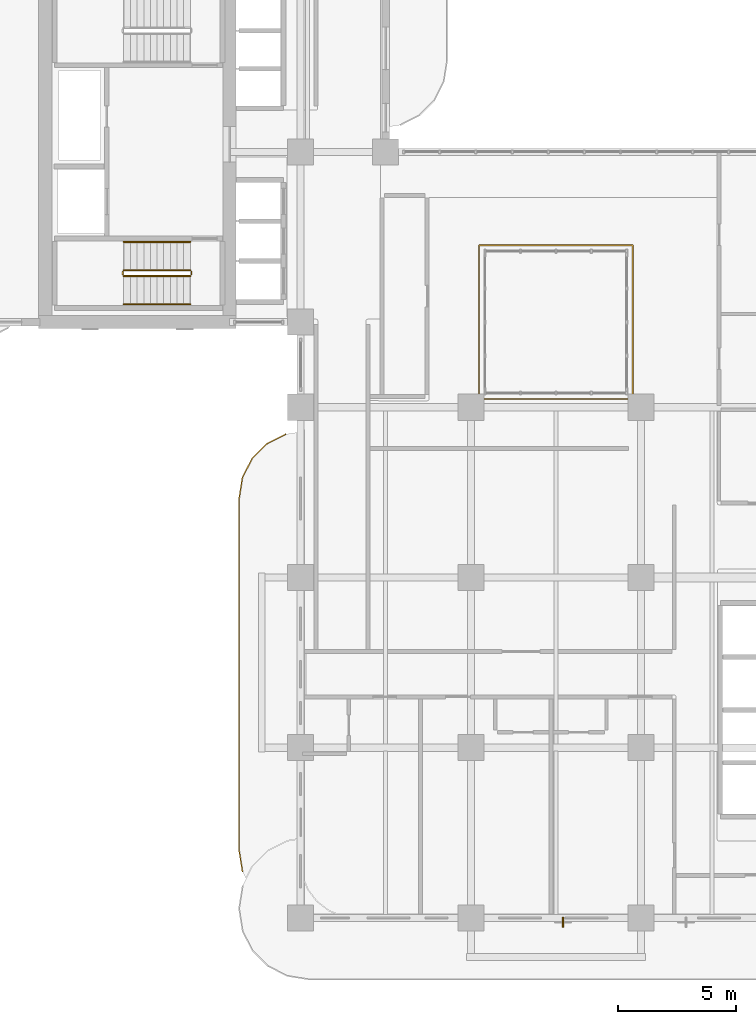
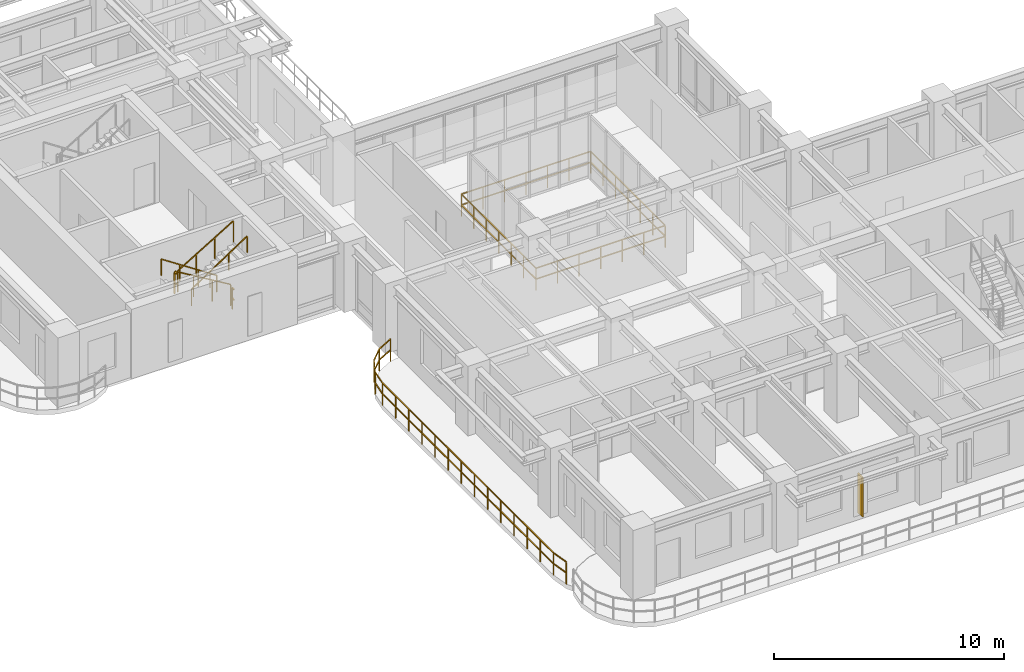
# One storey, part 18 of 22: 8 railings, 1 shading device.
"""IFC4 building model written with IfcOpenShell, lengths in metres."""

from ifc_helpers import new_model, si_unit, derived_unit, direction, frame, origin, origin_2d, place, context, subcontext, project, spatial, rectangle, extrude, source, transform, mapped, material, layer, layer_set, type_object, type_shapes, element, save


model = new_model("IFC4")

# Units and contexts
model_context = context("Model", 3, precision=1e-05, world=origin(), true_north=direction((0.0, 1.0)))
body_context = subcontext(model_context, "Body", "Model", "MODEL_VIEW")
ifc_project = project(units=[si_unit("LENGTHUNIT", "METRE"), si_unit("AREAUNIT", "SQUARE_METRE"), si_unit("VOLUMEUNIT", "CUBIC_METRE"), si_unit("PLANEANGLEUNIT", "RADIAN"), si_unit("MASSUNIT", "GRAM", prefix="KILO"), si_unit("THERMODYNAMICTEMPERATUREUNIT", "KELVIN"), si_unit("POWERUNIT", "WATT"), derived_unit("THERMALTRANSMITTANCEUNIT", [(si_unit("POWERUNIT", "WATT"), 1), (si_unit("AREAUNIT", "SQUARE_METRE"), -1), (si_unit("THERMODYNAMICTEMPERATUREUNIT", "KELVIN"), -1)])], contexts=[model_context])

# Site, building, storey
site_placement = place(None, origin())
site = spatial("IfcSite", under=ifc_project, at=site_placement, CompositionType="ELEMENT")
building_placement = place(site_placement, origin())
building = spatial("IfcBuilding", under=site, at=building_placement, Name="Zahravan Archway Hotel and Residences", CompositionType="ELEMENT")
storey_placement = place(building_placement, frame((0.0, 0.0, 76.800048828125)))
storey = spatial("IfcBuildingStorey", under=building, at=storey_placement, Name="L18", CompositionType="ELEMENT", Elevation=76.800048828125)

# Railings
ifc_material_1 = material(Name="Atrium Laminated Glass Guardrail", Category="glass")
railing_type_1 = type_object("IfcRailingType", Name="RL-ATR-1200", PredefinedType="BALUSTRADE", material=ifc_material_1)
railing_1_placement = place(storey_placement, frame((21.949951171875, 21.949951171875, 0.0)))
element("IfcRailing", 1, at=railing_1_placement, inside=storey, type_object=railing_type_1, Name="L18 Balustrade RL-ATR-L18", PredefinedType="BALUSTRADE", context=body_context, shape_type="SweptSolid", body=[
    extrude(rectangle(XDim=0.048095703125, YDim=0.048095703125, at=origin_2d()), frame((0.0, 0.0, 1.17578125), z_axis=(1.0, 0.0, 0.0), x_axis=(0.0, 1.0, 0.0)), (0.0, 0.0, 1.0), 6.5),
    extrude(rectangle(XDim=0.048095703125, YDim=0.048095703125, at=origin_2d()), frame((0.0, 0.0, 0.60009765625), z_axis=(1.0, 0.0, 0.0), x_axis=(0.0, 1.0, 0.0)), (0.0, 0.0, 1.0), 6.5),
    extrude(rectangle(XDim=0.048095703125, YDim=0.048095703125, at=origin_2d()), frame((6.5, 0.0, 1.17578125), z_axis=(0.0, 1.0, 0.0), x_axis=(-1.0, 0.0, 0.0)), (0.0, 0.0, 1.0), 6.5),
    extrude(rectangle(XDim=0.048095703125, YDim=0.048095703125, at=origin_2d()), frame((6.5, 0.0, 0.60009765625), z_axis=(0.0, 1.0, 0.0), x_axis=(-1.0, 0.0, 0.0)), (0.0, 0.0, 1.0), 6.5),
    extrude(rectangle(XDim=0.048095703125, YDim=0.048095703125, at=origin_2d()), frame((6.5, 6.5, 1.17578125), z_axis=(-1.0, 0.0, 0.0), x_axis=(0.0, -1.0, 0.0)), (0.0, 0.0, 1.0), 6.5),
    extrude(rectangle(XDim=0.048095703125, YDim=0.048095703125, at=origin_2d()), frame((6.5, 6.5, 0.60009765625), z_axis=(-1.0, 0.0, 0.0), x_axis=(0.0, -1.0, 0.0)), (0.0, 0.0, 1.0), 6.5),
    extrude(rectangle(XDim=0.048095703125, YDim=0.048095703125, at=origin_2d()), frame((0.0, 6.5, 1.17578125), z_axis=(0.0, -1.0, 0.0), x_axis=(1.0, 0.0, 0.0)), (0.0, 0.0, 1.0), 6.5),
    extrude(rectangle(XDim=0.048095703125, YDim=0.048095703125, at=origin_2d()), frame((0.0, 6.5, 0.60009765625), z_axis=(0.0, -1.0, 0.0), x_axis=(1.0, 0.0, 0.0)), (0.0, 0.0, 1.0), 6.5),
    extrude(rectangle(XDim=0.0419921875, YDim=0.0419921875, at=origin_2d()), origin(), (0.0, 0.0, 1.0), 1.15185546875),
    extrude(rectangle(XDim=0.0419921875, YDim=0.0419921875, at=origin_2d()), frame((1.083251953125, 0.0, 0.0)), (0.0, 0.0, 1.0), 1.15185546875),
    extrude(rectangle(XDim=0.0419921875, YDim=0.0419921875, at=origin_2d()), frame((2.166748046875, 0.0, 0.0)), (0.0, 0.0, 1.0), 1.15185546875),
    extrude(rectangle(XDim=0.0419921875, YDim=0.0419921875, at=origin_2d()), frame((3.25, 0.0, 0.0)), (0.0, 0.0, 1.0), 1.15185546875),
    extrude(rectangle(XDim=0.0419921875, YDim=0.0419921875, at=origin_2d()), frame((4.333251953125, 0.0, 0.0)), (0.0, 0.0, 1.0), 1.15185546875),
    extrude(rectangle(XDim=0.0419921875, YDim=0.0419921875, at=origin_2d()), frame((5.416748046875, 0.0, 0.0)), (0.0, 0.0, 1.0), 1.15185546875),
    extrude(rectangle(XDim=0.0419921875, YDim=0.0419921875, at=origin_2d()), frame((6.5, 0.0, 0.0)), (0.0, 0.0, 1.0), 1.15185546875),
    extrude(rectangle(XDim=0.0419921875, YDim=0.0419921875, at=origin_2d()), frame((6.5, 1.083251953125, 0.0)), (0.0, 0.0, 1.0), 1.15185546875),
    extrude(rectangle(XDim=0.0419921875, YDim=0.0419921875, at=origin_2d()), frame((6.5, 2.166748046875, 0.0)), (0.0, 0.0, 1.0), 1.15185546875),
    extrude(rectangle(XDim=0.0419921875, YDim=0.0419921875, at=origin_2d()), frame((6.5, 3.25, 0.0)), (0.0, 0.0, 1.0), 1.15185546875),
    extrude(rectangle(XDim=0.0419921875, YDim=0.0419921875, at=origin_2d()), frame((6.5, 4.333251953125, 0.0)), (0.0, 0.0, 1.0), 1.15185546875),
    extrude(rectangle(XDim=0.0419921875, YDim=0.0419921875, at=origin_2d()), frame((6.5, 5.416748046875, 0.0)), (0.0, 0.0, 1.0), 1.15185546875),
    extrude(rectangle(XDim=0.0419921875, YDim=0.0419921875, at=origin_2d()), frame((6.5, 6.5, 0.0)), (0.0, 0.0, 1.0), 1.15185546875),
    extrude(rectangle(XDim=0.0419921875, YDim=0.0419921875, at=origin_2d()), frame((5.416748046875, 6.5, 0.0)), (0.0, 0.0, 1.0), 1.15185546875),
    extrude(rectangle(XDim=0.0419921875, YDim=0.0419921875, at=origin_2d()), frame((4.333251953125, 6.5, 0.0)), (0.0, 0.0, 1.0), 1.15185546875),
    extrude(rectangle(XDim=0.0419921875, YDim=0.0419921875, at=origin_2d()), frame((3.25, 6.5, 0.0)), (0.0, 0.0, 1.0), 1.15185546875),
    extrude(rectangle(XDim=0.0419921875, YDim=0.0419921875, at=origin_2d()), frame((2.166748046875, 6.5, 0.0)), (0.0, 0.0, 1.0), 1.15185546875),
    extrude(rectangle(XDim=0.0419921875, YDim=0.0419921875, at=origin_2d()), frame((1.083251953125, 6.5, 0.0)), (0.0, 0.0, 1.0), 1.15185546875),
    extrude(rectangle(XDim=0.0419921875, YDim=0.0419921875, at=origin_2d()), frame((0.0, 6.5, 0.0)), (0.0, 0.0, 1.0), 1.15185546875),
    extrude(rectangle(XDim=0.0419921875, YDim=0.0419921875, at=origin_2d()), frame((0.0, 5.416748046875, 0.0)), (0.0, 0.0, 1.0), 1.15185546875),
    extrude(rectangle(XDim=0.0419921875, YDim=0.0419921875, at=origin_2d()), frame((0.0, 4.333251953125, 0.0)), (0.0, 0.0, 1.0), 1.15185546875),
    extrude(rectangle(XDim=0.0419921875, YDim=0.0419921875, at=origin_2d()), frame((0.0, 3.25, 0.0)), (0.0, 0.0, 1.0), 1.15185546875),
    extrude(rectangle(XDim=0.0419921875, YDim=0.0419921875, at=origin_2d()), frame((0.0, 2.166748046875, 0.0)), (0.0, 0.0, 1.0), 1.15185546875),
    extrude(rectangle(XDim=0.0419921875, YDim=0.0419921875, at=origin_2d()), frame((0.0, 1.083251953125, 0.0)), (0.0, 0.0, 1.0), 1.15185546875),
])
ifc_material_2 = material(Name="Bronze & Laminated Glass Balustrade", Category="glass")
railing_type_2 = type_object("IfcRailingType", Name="RL-BAL-1200", PredefinedType="BALUSTRADE", material=ifc_material_2)
railing_2_placement = place(storey_placement, frame((11.939453125, 1.96923828125, 0.0)))
element("IfcRailing", 2, at=railing_2_placement, inside=storey, type_object=railing_type_2, Name="L18 Balustrade RL-SLB-BAL-L18-WA-1", PredefinedType="BALUSTRADE", context=body_context, shape_type="SweptSolid", body=[
    extrude(rectangle(XDim=0.048095703125, YDim=0.048095703125, at=origin_2d()), frame((0.0, 0.0, 1.17578125), z_axis=(-0.156314005608, 0.987707411965, 0.0), x_axis=(-0.987707411965, -0.156314005608, 0.0)), (0.0, 0.0, 1.0), 0.891845703125),
    extrude(rectangle(XDim=0.048095703125, YDim=0.048095703125, at=origin_2d()), frame((0.0, 0.0, 0.60009765625), z_axis=(-0.156314005608, 0.987707411965, 0.0), x_axis=(-0.987707411965, -0.156314005608, 0.0)), (0.0, 0.0, 1.0), 0.891845703125),
    extrude(rectangle(XDim=0.048095703125, YDim=0.048095703125, at=origin_2d()), frame((-0.139404296875, 0.880859375, 1.17578125), z_axis=(0.0, 1.0, 0.0), x_axis=(-1.0, 0.0, 0.0)), (0.0, 0.0, 1.0), 14.89990234375),
    extrude(rectangle(XDim=0.048095703125, YDim=0.048095703125, at=origin_2d()), frame((-0.139404296875, 0.880859375, 0.60009765625), z_axis=(0.0, 1.0, 0.0), x_axis=(-1.0, 0.0, 0.0)), (0.0, 0.0, 1.0), 14.89990234375),
    extrude(rectangle(XDim=0.048095703125, YDim=0.048095703125, at=origin_2d()), frame((-0.139404296875, 15.78076171875, 1.17578125), z_axis=(0.156356282588, 0.987700720307, 0.0), x_axis=(-0.987700720307, 0.156356282588, 0.0)), (0.0, 0.0, 1.0), 0.8916015625),
    extrude(rectangle(XDim=0.048095703125, YDim=0.048095703125, at=origin_2d()), frame((-0.139404296875, 15.78076171875, 0.60009765625), z_axis=(0.156356282588, 0.987700720307, 0.0), x_axis=(-0.987700720307, 0.156356282588, 0.0)), (0.0, 0.0, 1.0), 0.8916015625),
    extrude(rectangle(XDim=0.048095703125, YDim=0.048095703125, at=origin_2d()), frame((0.0, 16.661376953125, 1.17578125), z_axis=(0.45388067135, 0.891062476022, 0.0), x_axis=(-0.891062476022, 0.45388067135, 0.0)), (0.0, 0.0, 1.0), 0.891845703125),
    extrude(rectangle(XDim=0.048095703125, YDim=0.048095703125, at=origin_2d()), frame((0.0, 16.661376953125, 0.60009765625), z_axis=(0.45388067135, 0.891062476022, 0.0), x_axis=(-0.891062476022, 0.45388067135, 0.0)), (0.0, 0.0, 1.0), 0.891845703125),
    extrude(rectangle(XDim=0.048095703125, YDim=0.048095703125, at=origin_2d()), frame((0.40478515625, 17.4560546875, 1.17578125), z_axis=(0.70724367147, 0.706969864397, 0.0), x_axis=(-0.706969864397, 0.70724367147, 0.0)), (0.0, 0.0, 1.0), 0.8916015625),
    extrude(rectangle(XDim=0.048095703125, YDim=0.048095703125, at=origin_2d()), frame((0.40478515625, 17.4560546875, 0.60009765625), z_axis=(0.70724367147, 0.706969864397, 0.0), x_axis=(-0.706969864397, 0.70724367147, 0.0)), (0.0, 0.0, 1.0), 0.8916015625),
    extrude(rectangle(XDim=0.048095703125, YDim=0.048095703125, at=origin_2d()), frame((1.035400390625, 18.08642578125, 1.17578125), z_axis=(0.891006060389, 0.453991409995, 0.0), x_axis=(-0.453991409995, 0.891006060389, 0.0)), (0.0, 0.0, 1.0), 0.8916015625),
    extrude(rectangle(XDim=0.048095703125, YDim=0.048095703125, at=origin_2d()), frame((1.035400390625, 18.08642578125, 0.60009765625), z_axis=(0.891006060389, 0.453991409995, 0.0), x_axis=(-0.453991409995, 0.891006060389, 0.0)), (0.0, 0.0, 1.0), 0.8916015625),
    extrude(rectangle(XDim=0.0419921875, YDim=0.0419921875, at=origin_2d()), origin(), (0.0, 0.0, 1.0), 1.15185546875),
    extrude(rectangle(XDim=0.0419921875, YDim=0.0419921875, at=origin_2d()), frame((-0.139404296875, 0.880859375, 0.0)), (0.0, 0.0, 1.0), 1.15185546875),
    extrude(rectangle(XDim=0.0419921875, YDim=0.0419921875, at=origin_2d()), frame((-0.139404296875, 2.027099609375, 0.0)), (0.0, 0.0, 1.0), 1.15185546875),
    extrude(rectangle(XDim=0.0419921875, YDim=0.0419921875, at=origin_2d()), frame((-0.139404296875, 3.173095703125, 0.0)), (0.0, 0.0, 1.0), 1.15185546875),
    extrude(rectangle(XDim=0.0419921875, YDim=0.0419921875, at=origin_2d()), frame((-0.139404296875, 4.3193359375, 0.0)), (0.0, 0.0, 1.0), 1.15185546875),
    extrude(rectangle(XDim=0.0419921875, YDim=0.0419921875, at=origin_2d()), frame((-0.139404296875, 5.46533203125, 0.0)), (0.0, 0.0, 1.0), 1.15185546875),
    extrude(rectangle(XDim=0.0419921875, YDim=0.0419921875, at=origin_2d()), frame((-0.139404296875, 6.611572265625, 0.0)), (0.0, 0.0, 1.0), 1.15185546875),
    extrude(rectangle(XDim=0.0419921875, YDim=0.0419921875, at=origin_2d()), frame((-0.139404296875, 7.7578125, 0.0)), (0.0, 0.0, 1.0), 1.15185546875),
    extrude(rectangle(XDim=0.0419921875, YDim=0.0419921875, at=origin_2d()), frame((-0.139404296875, 8.90380859375, 0.0)), (0.0, 0.0, 1.0), 1.15185546875),
    extrude(rectangle(XDim=0.0419921875, YDim=0.0419921875, at=origin_2d()), frame((-0.139404296875, 10.050048828125, 0.0)), (0.0, 0.0, 1.0), 1.15185546875),
    extrude(rectangle(XDim=0.0419921875, YDim=0.0419921875, at=origin_2d()), frame((-0.139404296875, 11.1962890625, 0.0)), (0.0, 0.0, 1.0), 1.15185546875),
    extrude(rectangle(XDim=0.0419921875, YDim=0.0419921875, at=origin_2d()), frame((-0.139404296875, 12.34228515625, 0.0)), (0.0, 0.0, 1.0), 1.15185546875),
    extrude(rectangle(XDim=0.0419921875, YDim=0.0419921875, at=origin_2d()), frame((-0.139404296875, 13.488525390625, 0.0)), (0.0, 0.0, 1.0), 1.15185546875),
    extrude(rectangle(XDim=0.0419921875, YDim=0.0419921875, at=origin_2d()), frame((-0.139404296875, 14.634521484375, 0.0)), (0.0, 0.0, 1.0), 1.15185546875),
    extrude(rectangle(XDim=0.0419921875, YDim=0.0419921875, at=origin_2d()), frame((-0.139404296875, 15.78076171875, 0.0)), (0.0, 0.0, 1.0), 1.15185546875),
    extrude(rectangle(XDim=0.0419921875, YDim=0.0419921875, at=origin_2d()), frame((0.0, 16.661376953125, 0.0)), (0.0, 0.0, 1.0), 1.15185546875),
    extrude(rectangle(XDim=0.0419921875, YDim=0.0419921875, at=origin_2d()), frame((0.40478515625, 17.4560546875, 0.0)), (0.0, 0.0, 1.0), 1.15185546875),
    extrude(rectangle(XDim=0.0419921875, YDim=0.0419921875, at=origin_2d()), frame((1.035400390625, 18.08642578125, 0.0)), (0.0, 0.0, 1.0), 1.15185546875),
    extrude(rectangle(XDim=0.0419921875, YDim=0.0419921875, at=origin_2d()), frame((1.829833984375, 18.4912109375, 0.0)), (0.0, 0.0, 1.0), 1.15185546875),
])
ifc_material_3 = material(Name="Painted Tubular Steel", Category="steel")
railing_type_3 = type_object("IfcRailingType", Name="RL-STG-1150", PredefinedType="GUARDRAIL", material=ifc_material_3)
railing_3_placement = place(storey_placement, frame((9.72998046875, 27.389892578125, 0.168212890625)))
element("IfcRailing", 3, at=railing_3_placement, inside=storey, type_object=railing_type_3, Name="L18 ST-B1 stair guard 1", PredefinedType="GUARDRAIL", context=body_context, shape_type="SweptSolid", body=[
    extrude(rectangle(XDim=0.048095703125, YDim=0.048095703125, at=origin_2d()), frame((0.0, 0.0, 1.1259765625), z_axis=(-0.857275202839, 0.0, 0.514858452973), x_axis=(0.0, -1.0, 0.0)), (0.0, 0.0, 1.0), 3.26611328125),
    extrude(rectangle(XDim=0.0419921875, YDim=0.0419921875, at=origin_2d()), origin(), (0.0, 0.0, 1.0), 1.101806640625),
    extrude(rectangle(XDim=0.0419921875, YDim=0.0419921875, at=origin_2d()), frame((-0.933349609375, 0.0, 0.560546875)), (0.0, 0.0, 1.0), 1.101806640625),
    extrude(rectangle(XDim=0.0419921875, YDim=0.0419921875, at=origin_2d()), frame((-1.86669921875, 0.0, 1.12109375)), (0.0, 0.0, 1.0), 1.101806640625),
    extrude(rectangle(XDim=0.0419921875, YDim=0.0419921875, at=origin_2d()), frame((-2.800048828125, 0.0, 1.681640625)), (0.0, 0.0, 1.0), 1.101806640625),
])
railing_4_placement = place(storey_placement, frame((6.8798828125, 27.340087890625, 1.849853515625)))
element("IfcRailing", 4, at=railing_4_placement, inside=storey, type_object=railing_type_3, Name="L18 ST-B1 stair guard 2", PredefinedType="GUARDRAIL", context=body_context, shape_type="SweptSolid", body=[
    extrude(rectangle(XDim=0.048095703125, YDim=0.048095703125, at=origin_2d()), frame((0.0, 0.0, 1.1259765625), z_axis=(0.0, -1.0, 0.0), x_axis=(1.0, 0.0, 0.0)), (0.0, 0.0, 1.0), 0.14013671875),
    extrude(rectangle(XDim=0.048095703125, YDim=0.048095703125, at=origin_2d()), frame((0.0, 0.0, 0.574951171875), z_axis=(0.0, -1.0, 0.0), x_axis=(1.0, 0.0, 0.0)), (0.0, 0.0, 1.0), 0.14013671875),
    extrude(rectangle(XDim=0.0419921875, YDim=0.0419921875, at=origin_2d()), origin(), (0.0, 0.0, 1.0), 1.101806640625),
])
railing_5_placement = place(storey_placement, frame((6.929931640625, 27.14990234375, 2.01806640625)))
element("IfcRailing", 5, at=railing_5_placement, inside=storey, type_object=railing_type_3, Name="L18 ST-B1 stair guard 3", PredefinedType="GUARDRAIL", context=body_context, shape_type="SweptSolid", body=[
    extrude(rectangle(XDim=0.048095703125, YDim=0.048095703125, at=origin_2d()), frame((0.0, 0.0, 1.1259765625), z_axis=(0.857242210791, 0.0, 0.514913383045), x_axis=(0.0, 1.0, 0.0)), (0.0, 0.0, 1.0), 3.266357421875),
    extrude(rectangle(XDim=0.0419921875, YDim=0.0419921875, at=origin_2d()), origin(), (0.0, 0.0, 1.0), 1.101806640625),
    extrude(rectangle(XDim=0.0419921875, YDim=0.0419921875, at=origin_2d()), frame((0.933349609375, 0.0, 0.560546875)), (0.0, 0.0, 1.0), 1.101806640625),
    extrude(rectangle(XDim=0.0419921875, YDim=0.0419921875, at=origin_2d()), frame((1.86669921875, 0.0, 1.121337890625)), (0.0, 0.0, 1.0), 1.101806640625),
    extrude(rectangle(XDim=0.0419921875, YDim=0.0419921875, at=origin_2d()), frame((2.800048828125, 0.0, 1.681884765625)), (0.0, 0.0, 1.0), 1.101806640625),
])
railing_6_placement = place(storey_placement, frame((9.780029296875, 27.340087890625, 0.0)))
element("IfcRailing", 6, at=railing_6_placement, inside=storey, type_object=railing_type_3, Name="L18 ST-B1 stair guard 4", PredefinedType="GUARDRAIL", context=body_context, shape_type="SweptSolid", body=[
    extrude(rectangle(XDim=0.048095703125, YDim=0.048095703125, at=origin_2d()), frame((0.0, 0.0, 1.1259765625), z_axis=(0.0, -1.0, 0.0), x_axis=(1.0, 0.0, 0.0)), (0.0, 0.0, 1.0), 0.14013671875),
    extrude(rectangle(XDim=0.048095703125, YDim=0.048095703125, at=origin_2d()), frame((0.0, 0.0, 0.574951171875), z_axis=(0.0, -1.0, 0.0), x_axis=(1.0, 0.0, 0.0)), (0.0, 0.0, 1.0), 0.14013671875),
    extrude(rectangle(XDim=0.0419921875, YDim=0.0419921875, at=origin_2d()), origin(), (0.0, 0.0, 1.0), 1.101806640625),
])
ifc_material_4 = material(Name="Brushed Stainless Steel", Category="steel")
railing_type_4 = type_object("IfcRailingType", Name="RL-STH-900", PredefinedType="HANDRAIL", material=ifc_material_4)
railing_7_placement = place(storey_placement, frame((9.72998046875, 28.590087890625, 0.168212890625)))
element("IfcRailing", 7, at=railing_7_placement, inside=storey, type_object=railing_type_4, Name="L18 ST-B1 stair handrail 1", PredefinedType="HANDRAIL", context=body_context, shape_type="SweptSolid", body=[
    extrude(rectangle(XDim=0.048095703125, YDim=0.048095703125, at=origin_2d()), frame((0.0, 0.0, 0.8759765625), z_axis=(-0.83435981716, 0.0, 0.551220187865), x_axis=(0.0, -1.0, 0.0)), (0.0, 0.0, 1.0), 3.35595703125),
    extrude(rectangle(XDim=0.0419921875, YDim=0.0419921875, at=origin_2d()), origin(), (0.0, 0.0, 1.0), 0.851806640625),
    extrude(rectangle(XDim=0.0419921875, YDim=0.0419921875, at=origin_2d()), frame((-0.933349609375, 0.0, 0.61669921875)), (0.0, 0.0, 1.0), 0.851806640625),
    extrude(rectangle(XDim=0.0419921875, YDim=0.0419921875, at=origin_2d()), frame((-1.86669921875, 0.0, 1.233154296875)), (0.0, 0.0, 1.0), 0.851806640625),
    extrude(rectangle(XDim=0.0419921875, YDim=0.0419921875, at=origin_2d()), frame((-2.800048828125, 0.0, 1.849853515625)), (0.0, 0.0, 1.0), 0.851806640625),
])
railing_8_placement = place(storey_placement, frame((6.929931640625, 25.949951171875, 2.01806640625)))
element("IfcRailing", 8, at=railing_8_placement, inside=storey, type_object=railing_type_4, Name="L18 ST-B1 stair handrail 2", PredefinedType="HANDRAIL", context=body_context, shape_type="SweptSolid", body=[
    extrude(rectangle(XDim=0.048095703125, YDim=0.048095703125, at=origin_2d()), frame((0.0, 0.0, 0.8759765625), z_axis=(0.834326358476, 0.0, 0.551270829586), x_axis=(0.0, 1.0, 0.0)), (0.0, 0.0, 1.0), 3.35595703125),
    extrude(rectangle(XDim=0.0419921875, YDim=0.0419921875, at=origin_2d()), origin(), (0.0, 0.0, 1.0), 0.851806640625),
    extrude(rectangle(XDim=0.0419921875, YDim=0.0419921875, at=origin_2d()), frame((0.933349609375, 0.0, 0.61669921875)), (0.0, 0.0, 1.0), 0.851806640625),
    extrude(rectangle(XDim=0.0419921875, YDim=0.0419921875, at=origin_2d()), frame((1.86669921875, 0.0, 1.2333984375)), (0.0, 0.0, 1.0), 0.851806640625),
    extrude(rectangle(XDim=0.0419921875, YDim=0.0419921875, at=origin_2d()), frame((2.800048828125, 0.0, 1.85009765625)), (0.0, 0.0, 1.0), 0.851806640625),
])

# Shading device
ifc_material_5 = material(Name="Terracotta & Bronze Solar Brise-Soleil", Category="masonry")
ifc_layer = layer(ifc_material_5, 0.06005859375, Name="Terracotta & Bronze Solar Brise-Soleil", Category="masonry")
ifc_layer_set = layer_set([ifc_layer], Name="Terracotta & Bronze Solar Brise-Soleil")
shading_device_type = type_object("IfcShadingDeviceType", Name="SHD-MASH-FIN", PredefinedType="JALOUSIE", material=ifc_layer_set)
shared_shape = source(origin(), body_context, "Body", "SweptSolid", [
    extrude(rectangle(XDim=0.06005859375, YDim=0.419921875, at=origin_2d()), origin(), (0.0, 0.0, 1.0), 2.10009765625),
])
type_shapes(shading_device_type, [shared_shape])
shading_device_placement = place(storey_placement, frame((25.493896484375, -0.177978515625, 0.25), z_axis=(0.0, 0.0, 1.0), x_axis=(1.0, 0.0, 0.0)))
element("IfcShadingDevice", 9, at=shading_device_placement, inside=storey, type_object=shading_device_type, Name="L18 Solar Mashrabiya Fin 01", PredefinedType="JALOUSIE", context=body_context, shape_type="MappedRepresentation", body=[
    mapped(shared_shape, transform((0.0, 0.0, 0.0), scale=1.0)),
])

save(model, "model.ifc")
